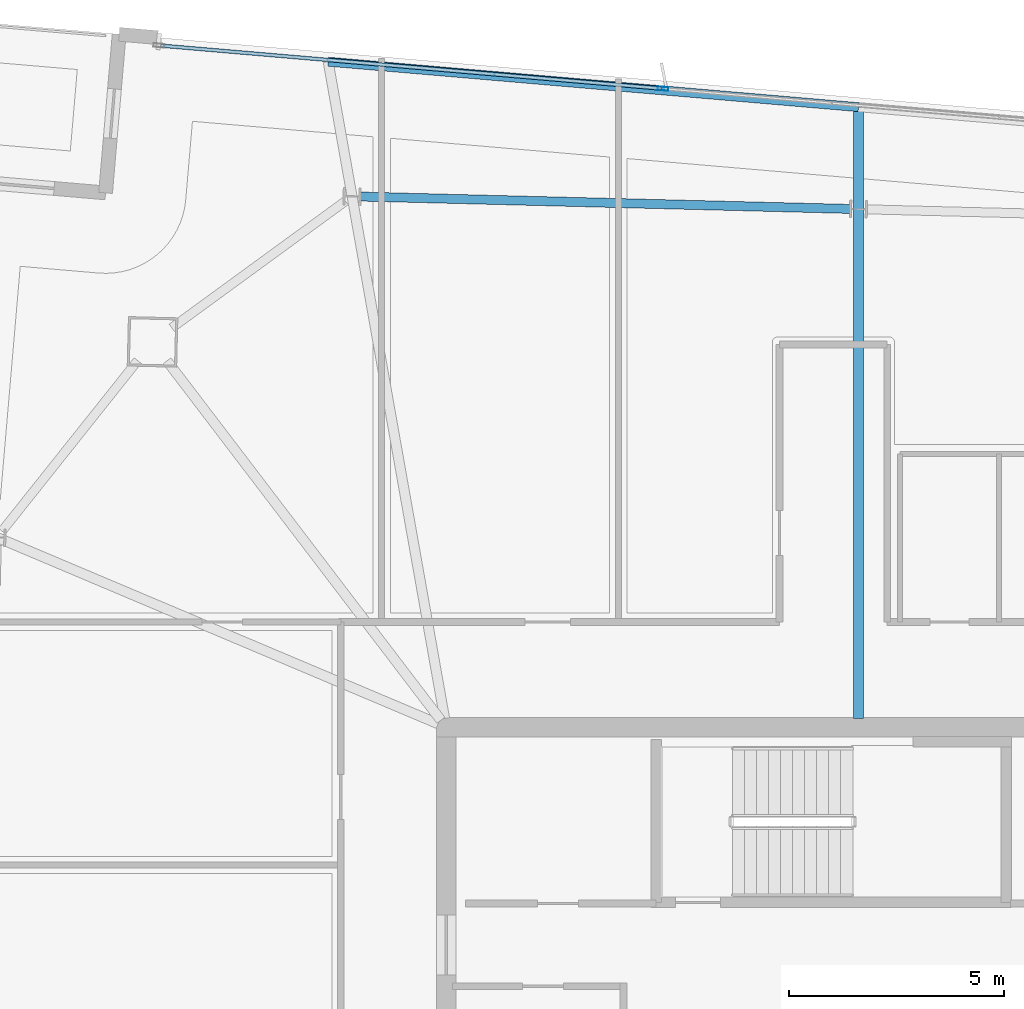
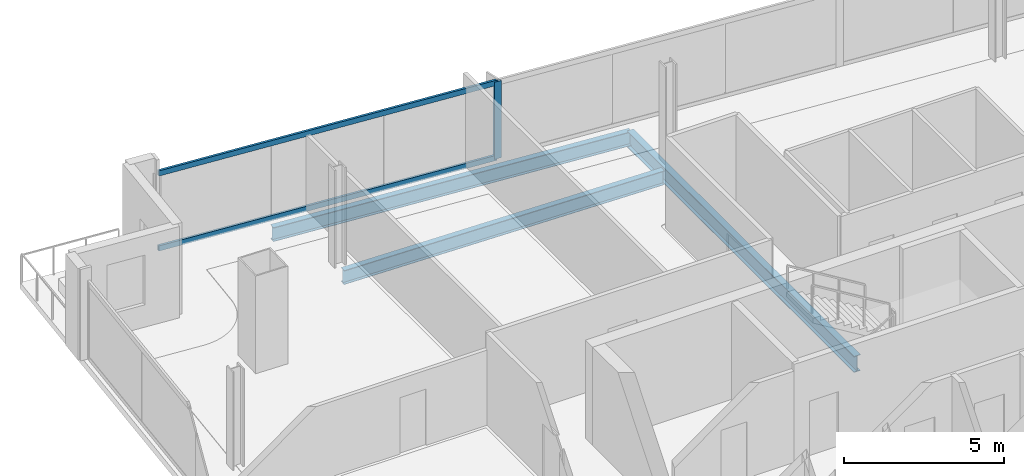
# One storey, part 14 of 24: 3 beams, 3 members, 1 element without a shape of its own.
"""IFC4 building model written with IfcOpenShell, lengths in metres."""

import ifcopenshell
import ifcopenshell.guid

model = None  # the IFC model being written
_history = None  # IfcOwnerHistory: only IFC2X3 demands one
_inside = {}  # id of a spatial element -> (the spatial element, [elements in it])
_under = {}  # id of a project, library or spatial element -> (it, [spatial elements below it])
_declared = {}  # id of a project -> (the project, [libraries it declares])
_typed = {}  # id of a type object -> (the type object, [elements of that type])
_made_of = {}  # id of a material, layer set ... -> (it, [elements and type objects made of it])


def new_model(schema):
    """Start an empty IFC model of exactly this schema.

    Asked for "IFC4X3", IfcOpenShell would pick the latest addendum, in which some entities
    have other attributes; the version numbers below select the first issue.
    IFC2X3 requires an IfcOwnerHistory on every rooted entity: one is made here for all.
    """
    global model, _history
    if schema == "IFC4X3":
        model = ifcopenshell.file(schema_version=(4, 3, 0, 0))
    else:
        model = ifcopenshell.file(schema=schema)
    _inside.clear()
    _under.clear()
    _declared.clear()
    _typed.clear()
    _made_of.clear()
    _history = None
    if model.schema == "IFC2X3":
        org = make("IfcOrganization", Name="unknown")
        user = make(
            "IfcPersonAndOrganization",
            ThePerson=make("IfcPerson", FamilyName="unknown"),
            TheOrganization=org,
        )
        app = make(
            "IfcApplication",
            ApplicationDeveloper=org,
            Version="unknown",
            ApplicationFullName="unknown",
            ApplicationIdentifier="unknown",
        )
        _history = make(
            "IfcOwnerHistory",
            OwningUser=user,
            OwningApplication=app,
            ChangeAction="ADDED",
            CreationDate=0,
        )
    return model


def make(cls, **values):
    """One entity of the class cls with the attributes given. An attribute that is None is left unset."""
    return model.create_entity(
        cls, **{name: value for name, value in values.items() if value is not None}
    )


def rooted(cls, **values):
    """An entity with a GlobalId (a new one), such as an element, a storey or a relation."""
    return make(cls, GlobalId=ifcopenshell.guid.new(), OwnerHistory=_history, **values)


def si_unit(unit_type, name, prefix=None):
    """IfcSIUnit, for example si_unit("LENGTHUNIT", "METRE", prefix="MILLI")."""
    return make("IfcSIUnit", UnitType=unit_type, Prefix=prefix, Name=name)


def assignment(units):
    """IfcUnitAssignment: the units of a project."""
    return None if units is None else make("IfcUnitAssignment", Units=units)


def point(xyz):
    """IfcCartesianPoint."""
    return None if xyz is None else make("IfcCartesianPoint", Coordinates=xyz)


def direction(xyz):
    """IfcDirection."""
    return None if xyz is None else make("IfcDirection", DirectionRatios=xyz)


def frame(location, z_axis=None, x_axis=None):
    """IfcAxis2Placement3D, a coordinate frame: its origin and axes. An axis left out is left unset."""
    return make(
        "IfcAxis2Placement3D",
        Location=point(location),
        Axis=direction(z_axis),
        RefDirection=direction(x_axis),
    )


def frame_2d(location, x_axis=None):
    """IfcAxis2Placement2D, a coordinate frame in the plane: its origin and x axis."""
    return make(
        "IfcAxis2Placement2D", Location=point(location), RefDirection=direction(x_axis)
    )


def origin():
    """The frame at (0, 0, 0) with its axes left unset."""
    return frame((0.0, 0.0, 0.0))


def origin_2d():
    """The frame at (0, 0) in the plane with its x axis left unset."""
    return frame_2d((0.0, 0.0))


def place(relative_to, where):
    """IfcLocalPlacement: puts the frame where relative to a parent placement (None: the world)."""
    return make(
        "IfcLocalPlacement", PlacementRelTo=relative_to, RelativePlacement=where
    )


def context(
    kind, dimensions, precision=None, world=None, true_north=None, identifier=None
):
    """IfcGeometricRepresentationContext, for example the 3D "Model" context."""
    return make(
        "IfcGeometricRepresentationContext",
        ContextIdentifier=identifier,
        ContextType=kind,
        CoordinateSpaceDimension=dimensions,
        Precision=precision,
        WorldCoordinateSystem=world,
        TrueNorth=true_north,
    )


def subcontext(parent, identifier, kind, view, scale=None):
    """IfcGeometricRepresentationSubContext, for example "Body" below "Model"."""
    return make(
        "IfcGeometricRepresentationSubContext",
        ContextIdentifier=identifier,
        ContextType=kind,
        ParentContext=parent,
        TargetScale=scale,
        TargetView=view,
    )


def project(units=None, contexts=None):
    """IfcProject with its units and contexts."""
    return rooted(
        "IfcProject",
        Name="project",
        RepresentationContexts=contexts,
        UnitsInContext=assignment(units),
    )


def spatial(cls, under=None, at=None, **own):
    """A site, building, storey or space (cls), placed at a placement, below another one or the project."""
    s = rooted(cls, ObjectPlacement=at, **own)
    if under is not None:
        _under.setdefault(under.id(), (under, []))[1].append(s)
    return s


def profile(cls, at=None, kind="AREA", **sizes):
    """A parametric profile (cls). Its sizes go by their IFC names, for example OverallWidth=200.0."""
    return make(cls, ProfileType=kind, Position=at, **sizes)


def hollow_rectangle(**sizes):
    """IfcRectangleHollowProfileDef."""
    return profile("IfcRectangleHollowProfileDef", **sizes)


def i_section(**sizes):
    """IfcIShapeProfileDef."""
    return profile("IfcIShapeProfileDef", **sizes)


def extrude(swept, where, along, depth):
    """IfcExtrudedAreaSolid: the profile swept, set in the frame where, extruded along a direction by depth."""
    return make(
        "IfcExtrudedAreaSolid",
        SweptArea=swept,
        Position=where,
        ExtrudedDirection=direction(along),
        Depth=depth,
    )


def shape(context_of_items, identifier, shape_type, items):
    """IfcShapeRepresentation: the items that make up one representation, for example the "Body"."""
    return make(
        "IfcShapeRepresentation",
        ContextOfItems=context_of_items,
        RepresentationIdentifier=identifier,
        RepresentationType=shape_type,
        Items=items,
    )


def material(Name=None, Category=None):
    """IfcMaterial."""
    return make("IfcMaterial", Name=Name, Category=Category)


def material_profile(
    of_material, cross_section, Name=None, Category=None, Priority=None
):
    """IfcMaterialProfile: a cross section and its material."""
    return make(
        "IfcMaterialProfile",
        Name=Name,
        Material=of_material,
        Profile=cross_section,
        Priority=Priority,
        Category=Category,
    )


def profile_set(profiles, Name=None, composite=None):
    """IfcMaterialProfileSet."""
    return make(
        "IfcMaterialProfileSet",
        Name=Name,
        MaterialProfiles=profiles,
        CompositeProfile=composite,
    )


def made_of(thing, what):
    """Note that an element or type object is made of a material, layer set ...; save() writes the relation."""
    if what is not None:
        _made_of.setdefault(what.id(), (what, []))[1].append(thing)
    return thing


def type_object(cls, material=None, **own):
    """A type object (cls), such as IfcWallType, which elements share."""
    return made_of(rooted(cls, **own), material)


def element(
    cls,
    number,
    at=None,
    inside=None,
    cuts=None,
    type_object=None,
    material=None,
    context=None,
    identifier="Body",
    shape_type=None,
    held_by="IfcProductDefinitionShape",
    body=None,
    shapes=None,
    **own,
):
    """One element of the class cls, such as IfcWall. Its Tag is "e" and its number.

    at: its placement. inside: the storey or other place that contains it. cuts: it is an
    opening in that element (IfcRelVoidsElement). A single representation is given by context,
    identifier, shape_type and body (its items); several are given by shapes. held_by: the class
    of the entity that holds the representations. save() writes the other relations.
    """
    e = rooted(cls, Tag="e%d" % number, ObjectPlacement=at, **own)
    if body is not None:
        shapes = [shape(context, identifier, shape_type, body)]
    if shapes is not None:
        e.Representation = make(held_by, Representations=shapes)
    if inside is not None:
        _inside.setdefault(inside.id(), (inside, []))[1].append(e)
    if cuts is not None:
        rooted(
            "IfcRelVoidsElement", RelatingBuildingElement=cuts, RelatedOpeningElement=e
        )
    if type_object is not None:
        _typed.setdefault(type_object.id(), (type_object, []))[1].append(e)
    return made_of(e, material)


def aggregate(whole, parts):
    """IfcRelAggregates: a whole, such as a stair, and the parts it consists of."""
    return rooted("IfcRelAggregates", RelatingObject=whole, RelatedObjects=parts)


def save(model, path):
    """Write the relations noted so far, then the file.

    IfcRelAggregates (storeys below a building ...), IfcRelContainedInSpatialStructure (elements
    in a storey), IfcRelDefinesByType, IfcRelAssociatesMaterial and IfcRelDeclares: one each for
    every whole, place, type object, material and project.
    """
    for whole, parts in _under.values():
        aggregate(whole, parts)
    for where, things in _inside.values():
        rooted(
            "IfcRelContainedInSpatialStructure",
            RelatedElements=things,
            RelatingStructure=where,
        )
    for kind, things in _typed.values():
        rooted("IfcRelDefinesByType", RelatedObjects=things, RelatingType=kind)
    for what, things in _made_of.values():
        rooted("IfcRelAssociatesMaterial", RelatedObjects=things, RelatingMaterial=what)
    for by, libraries in _declared.values():
        rooted("IfcRelDeclares", RelatingContext=by, RelatedDefinitions=libraries)
    model.write(path)


model = new_model("IFC4")

# Units and contexts
model_context = context("Model", 3, precision=1e-05, world=origin(), true_north=direction((0.0, 1.0)))
body_context = subcontext(model_context, "Body", "Model", "MODEL_VIEW")
ifc_project = project(units=[si_unit("LENGTHUNIT", "METRE"), si_unit("AREAUNIT", "SQUARE_METRE"), si_unit("VOLUMEUNIT", "CUBIC_METRE"), si_unit("PLANEANGLEUNIT", "RADIAN"), si_unit("MASSUNIT", "GRAM", prefix="KILO")], contexts=[model_context])

# Site, building, storey
site_placement = place(None, origin())
site = spatial("IfcSite", under=ifc_project, at=site_placement, CompositionType="ELEMENT")
building_placement = place(site_placement, origin())
building = spatial("IfcBuilding", under=site, at=building_placement, Name="Haldenkirk Collegiate Tower", CompositionType="ELEMENT")
storey_placement = place(building_placement, frame((0.0, 0.0, 313.949951171875)))
storey = spatial("IfcBuildingStorey", under=building, at=storey_placement, Name="L79", CompositionType="ELEMENT", Elevation=313.949951171875)

# Beams
ifc_material_1 = material(Name="Steel ASTM A992 Grade 50", Category="steel")
ifc_material_profile_1 = material_profile(ifc_material_1, i_section(OverallWidth=0.22998046875, OverallDepth=0.616943359375, WebThickness=0.01318359375, FlangeThickness=0.022216796875, at=origin_2d()), Name="W24X94")
ifc_profile_set_1 = profile_set([ifc_material_profile_1], Name="Steel ASTM A992 Grade 50")
beam_type_1 = type_object("IfcBeamType", Name="BM-GIRDER-W24X94", PredefinedType="BEAM", material=ifc_profile_set_1)
beam_1_placement = place(storey_placement, frame((36.582275390625, 48.412109375, -0.568359375), z_axis=(0.0, -1.0, 0.0), x_axis=(1.0, 0.0, 0.0)))
element("IfcBeam", 1, at=beam_1_placement, inside=storey, type_object=beam_type_1, Name="L79 primary floor girder 09", PredefinedType="BEAM", context=body_context, shape_type="SweptSolid", body=[
    extrude(i_section(OverallWidth=0.22998046875, OverallDepth=0.616943359375, WebThickness=0.01318359375, FlangeThickness=0.022216796875, at=origin_2d()), origin(), (0.0, 0.0, 1.0), 14.20703125),
])
ifc_material_profile_2 = material_profile(ifc_material_1, i_section(OverallWidth=0.2099609375, OverallDepth=0.537109375, WebThickness=0.010986328125, FlangeThickness=0.017333984375, at=origin_2d()), Name="W21X68")
ifc_profile_set_2 = profile_set([ifc_material_profile_2], Name="Steel ASTM A992 Grade 50")
beam_type_2 = type_object("IfcBeamType", Name="BM-SPANDREL-W21X68", PredefinedType="SPANDREL", material=ifc_profile_set_2)
beam_2_placement = place(storey_placement, frame((36.394287109375, 46.04638671875, -0.528564453125), z_axis=(-0.999680042221, 0.02529452876, 0.0), x_axis=(-0.02529452876, -0.999680042221, 0.0)))
element("IfcBeam", 2, at=beam_2_placement, inside=storey, type_object=beam_type_2, Name="L79 perimeter spandrel beam 07", PredefinedType="SPANDREL", context=body_context, shape_type="SweptSolid", body=[
    extrude(i_section(OverallWidth=0.2099609375, OverallDepth=0.537109375, WebThickness=0.010986328125, FlangeThickness=0.017333984375, at=origin_2d()), origin(), (0.0, 0.0, 1.0), 11.39892578125),
])
beam_3_placement = place(storey_placement, frame((36.582275390625, 48.412109375, -0.528564453125), z_axis=(-0.996344201838, 0.085429687248, 0.0), x_axis=(-0.085429687248, -0.996344201838, 0.0)))
element("IfcBeam", 3, at=beam_3_placement, inside=storey, type_object=beam_type_2, Name="L79 outer facade edge beam 2B", PredefinedType="SPANDREL", context=body_context, shape_type="SweptSolid", body=[
    extrude(i_section(OverallWidth=0.2099609375, OverallDepth=0.537109375, WebThickness=0.010986328125, FlangeThickness=0.017333984375, at=origin_2d()), origin(), (0.0, 0.0, 1.0), 12.371337890625),
])

# Curtain wall, members
ifc_material_2 = material(Name="Anodised architectural bronze aluminium", Category="aluminium")
curtain_wall_type = type_object("IfcCurtainWallType", Name="CW-SYS1B-CONVEX-HI", PredefinedType="USERDEFINED", material=ifc_material_2)
curtain_wall_placement = place(storey_placement, origin())
curtain_wall = element("IfcCurtainWall", 4, at=curtain_wall_placement, inside=storey, type_object=curtain_wall_type, Name="L79 Upper tower high-wind convex bronze unitised curtain wall", ObjectType="UNITISED CURTAIN WALL", PredefinedType="USERDEFINED")
ifc_material_profile_3 = material_profile(ifc_material_2, hollow_rectangle(XDim=0.0849609375, YDim=0.25, WallThickness=0.0048828125, at=origin_2d()), Name="CW-MUL-1B")
ifc_profile_set_3 = profile_set([ifc_material_profile_3], Name="Anodised architectural bronze aluminium")
member_type_1 = type_object("IfcMemberType", Name="CW-MUL-1B", PredefinedType="MULLION", material=ifc_profile_set_3)
member_1_placement = place(storey_placement, frame((32.03662109375, 48.842041015625, 0.0), z_axis=(0.0, 0.0, 1.0), x_axis=(0.085418127117, 0.996345192973, 0.0)))
member_1 = element("IfcMember", 5, at=member_1_placement, type_object=member_type_1, Name="CW-1B mullion 2", PredefinedType="MULLION", context=body_context, shape_type="SweptSolid", body=[
    extrude(hollow_rectangle(XDim=0.0849609375, YDim=0.25, WallThickness=0.0048828125, at=origin_2d()), origin(), (0.0, 0.0, 1.0), 2.947998046875),
])
ifc_material_profile_4 = material_profile(ifc_material_2, hollow_rectangle(XDim=0.0849609375, YDim=0.199951171875, WallThickness=0.0048828125, at=origin_2d()), Name="CW-TRN-1B")
ifc_profile_set_4 = profile_set([ifc_material_profile_4], Name="Anodised architectural bronze aluminium")
member_type_2 = type_object("IfcMemberType", Name="CW-TRN-1B", PredefinedType="USERDEFINED", material=ifc_profile_set_4)
member_2_placement = place(storey_placement, frame((20.364501953125, 49.8427734375, 0.04248046875), z_axis=(0.996344869081, -0.085421905014, 0.0), x_axis=(0.085421905014, 0.996344869081, 0.0)))
member_2 = element("IfcMember", 6, at=member_2_placement, type_object=member_type_2, Name="CW-1B transom 1.1", ObjectType="TRANSOM", PredefinedType="USERDEFINED", context=body_context, shape_type="SweptSolid", body=[
    extrude(hollow_rectangle(XDim=0.0849609375, YDim=0.199951171875, WallThickness=0.0048828125, at=origin_2d()), origin(), (0.0, 0.0, 1.0), 11.67236328125),
])
member_3_placement = place(storey_placement, frame((20.364501953125, 49.8427734375, 2.905517578125), z_axis=(0.996344869081, -0.085421905014, 0.0), x_axis=(0.085421905014, 0.996344869081, 0.0)))
member_3 = element("IfcMember", 7, at=member_3_placement, type_object=member_type_2, Name="CW-1B transom 1.2", ObjectType="TRANSOM", PredefinedType="USERDEFINED", context=body_context, shape_type="SweptSolid", body=[
    extrude(hollow_rectangle(XDim=0.0849609375, YDim=0.199951171875, WallThickness=0.0048828125, at=origin_2d()), origin(), (0.0, 0.0, 1.0), 11.67236328125),
])
aggregate(curtain_wall, [member_1, member_2, member_3])

save(model, "model.ifc")
